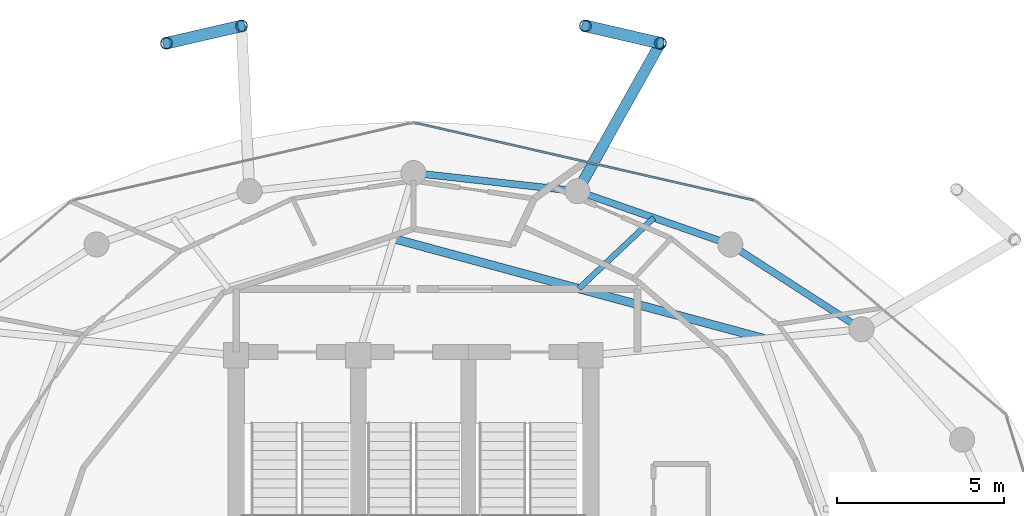
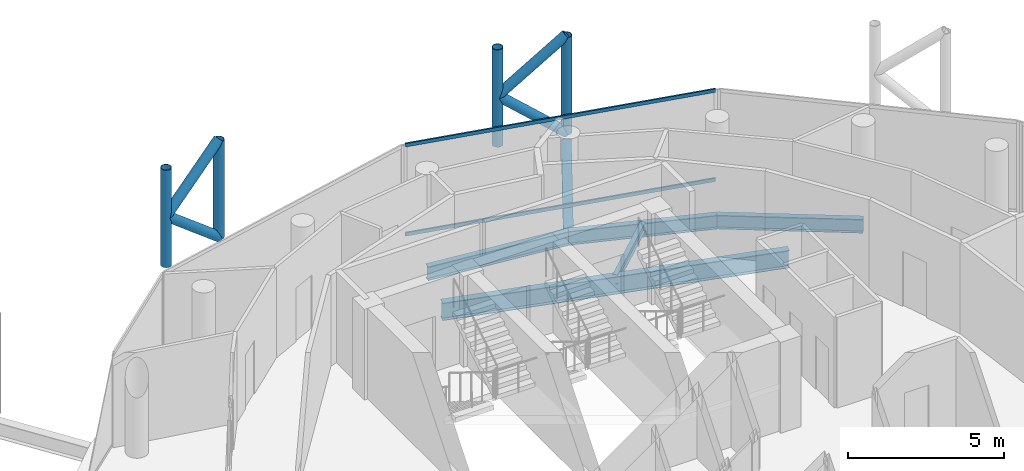
# One storey, part 17 of 24: 10 members, 6 beams, 1 element without a shape of its own.
"""IFC4 building model written with IfcOpenShell, lengths in metres."""

from ifc_helpers import new_model, si_unit, direction, frame, origin, origin_2d, place, context, subcontext, project, spatial, hollow_rectangle, hollow_circle, i_section, extrude, material, layer, layer_set, material_profile, profile_set, type_object, element, aggregate, save


model = new_model("IFC4")

# Units and contexts
model_context = context("Model", 3, precision=1e-05, world=origin(), true_north=direction((0.0, 1.0)))
body_context = subcontext(model_context, "Body", "Model", "MODEL_VIEW")
ifc_project = project(units=[si_unit("LENGTHUNIT", "METRE"), si_unit("AREAUNIT", "SQUARE_METRE"), si_unit("VOLUMEUNIT", "CUBIC_METRE"), si_unit("PLANEANGLEUNIT", "RADIAN"), si_unit("MASSUNIT", "GRAM", prefix="KILO")], contexts=[model_context])

# Site, building, storey
site_placement = place(None, origin())
site = spatial("IfcSite", under=ifc_project, at=site_placement, CompositionType="ELEMENT")
building_placement = place(site_placement, origin())
building = spatial("IfcBuilding", under=site, at=building_placement, Name="Nuhasar Tower", CompositionType="ELEMENT")
storey_placement = place(building_placement, frame((0.0, 0.0, 293.60009765625)))
storey = spatial("IfcBuildingStorey", under=building, at=storey_placement, Name="L73", CompositionType="ELEMENT", Elevation=293.60009765625)

# Beams
ifc_material_1 = material(Name="Steel S355", Category="steel")
ifc_material_profile_1 = material_profile(ifc_material_1, i_section(OverallWidth=0.25390625, OverallDepth=0.68408203125, WebThickness=0.012451171875, FlangeThickness=0.018798828125, at=origin_2d()), Name="W27X94")
ifc_profile_set_1 = profile_set([ifc_material_profile_1], Name="Steel S355")
beam_type_1 = type_object("IfcBeamType", Name="BM-INRING-W27X94", PredefinedType="BEAM", material=ifc_profile_set_1)
beam_1_placement = place(storey_placement, frame((49.48388671875, 37.798095703125, -0.60205078125), z_axis=(-0.965451835482, 0.260581567584, 0.0), x_axis=(-0.260581567584, -0.965451835482, 0.0)))
element("IfcBeam", 1, at=beam_1_placement, inside=storey, type_object=beam_type_1, Name="L73 Inner Header Beam 05", PredefinedType="BEAM", context=body_context, shape_type="SweptSolid", body=[
    extrude(i_section(OverallWidth=0.25390625, OverallDepth=0.68408203125, WebThickness=0.012451171875, FlangeThickness=0.018798828125, at=origin_2d()), origin(), (0.0, 0.0, 1.0), 11.474365234375),
])
ifc_material_profile_2 = material_profile(ifc_material_1, i_section(OverallWidth=0.1708984375, OverallDepth=0.35205078125, WebThickness=0.0068359375, FlangeThickness=0.009765625, at=origin_2d()), Name="W14X30")
ifc_profile_set_2 = profile_set([ifc_material_profile_2], Name="Steel S355")
beam_type_2 = type_object("IfcBeamType", Name="BM-JST-W14X30", PredefinedType="JOIST", material=ifc_profile_set_2)
beam_2_placement = place(storey_placement, frame((43.945068359375, 39.29296875, -0.43603515625), z_axis=(0.727532985224, 0.686072704173, 0.0), x_axis=(-0.686072704173, 0.727532985224, 0.0)))
element("IfcBeam", 2, at=beam_2_placement, inside=storey, type_object=beam_type_2, Name="L73 Secondary Floor Joist 05", PredefinedType="JOIST", context=body_context, shape_type="SweptSolid", body=[
    extrude(i_section(OverallWidth=0.1708984375, OverallDepth=0.35205078125, WebThickness=0.0068359375, FlangeThickness=0.009765625, at=origin_2d()), origin(), (0.0, 0.0, 1.0), 3.085693359375),
])
ifc_material_profile_3 = material_profile(ifc_material_1, i_section(OverallWidth=0.2099609375, OverallDepth=0.537109375, WebThickness=0.010986328125, FlangeThickness=0.017333984375, at=origin_2d()), Name="W21X68")
ifc_profile_set_3 = profile_set([ifc_material_profile_3], Name="Steel S355")
beam_type_3 = type_object("IfcBeamType", Name="BM-RING-W21X68", PredefinedType="SPANDREL", material=ifc_profile_set_3)
beam_3_placement = place(storey_placement, frame((52.39990234375, 38.077880859375, -0.529052734375), z_axis=(-0.840001671147, 0.54258381147, 0.0), x_axis=(-0.54258381147, -0.840001671147, 0.0)))
element("IfcBeam", 3, at=beam_3_placement, inside=storey, type_object=beam_type_3, Name="L73 Perimeter Ring Spandrel 04", PredefinedType="SPANDREL", context=body_context, shape_type="SweptSolid", body=[
    extrude(i_section(OverallWidth=0.2099609375, OverallDepth=0.537109375, WebThickness=0.010986328125, FlangeThickness=0.017333984375, at=origin_2d()), origin(), (0.0, 0.0, 1.0), 4.67236328125),
])
beam_4_placement = place(storey_placement, frame((48.47509765625, 40.613037109375, -0.529052734375), z_axis=(-0.944214043504, 0.329332415729, 0.0), x_axis=(-0.329332415729, -0.944214043504, 0.0)))
element("IfcBeam", 4, at=beam_4_placement, inside=storey, type_object=beam_type_3, Name="L73 Perimeter Ring Spandrel 05", PredefinedType="SPANDREL", context=body_context, shape_type="SweptSolid", body=[
    extrude(i_section(OverallWidth=0.2099609375, OverallDepth=0.537109375, WebThickness=0.010986328125, FlangeThickness=0.017333984375, at=origin_2d()), origin(), (0.0, 0.0, 1.0), 4.840087890625),
])
beam_5_placement = place(storey_placement, frame((43.905029296875, 42.20703125, -0.529052734375), z_axis=(-0.99392889943, 0.110024283128, 0.0), x_axis=(-0.110024283128, -0.99392889943, 0.0)))
element("IfcBeam", 5, at=beam_5_placement, inside=storey, type_object=beam_type_3, Name="L73 Perimeter Ring Spandrel 06", PredefinedType="SPANDREL", context=body_context, shape_type="SweptSolid", body=[
    extrude(i_section(OverallWidth=0.2099609375, OverallDepth=0.537109375, WebThickness=0.010986328125, FlangeThickness=0.017333984375, at=origin_2d()), origin(), (0.0, 0.0, 1.0), 4.93505859375),
])
ifc_material_profile_4 = material_profile(ifc_material_1, i_section(OverallWidth=0.323974609375, OverallDepth=0.611083984375, WebThickness=0.0126953125, FlangeThickness=0.01904296875, at=origin_2d()), Name="W24X104")
ifc_profile_set_4 = profile_set([ifc_material_profile_4], Name="Steel S355")
beam_type_4 = type_object("IfcBeamType", Name="BM-TIE-W24X104", PredefinedType="BEAM", material=ifc_profile_set_4)
beam_6_placement = place(storey_placement, frame((43.905029296875, 42.20703125, -0.566162109375), z_axis=(0.488667847762, 0.872469904675, 0.0), x_axis=(-0.872469904675, 0.488667847762, 0.0)))
element("IfcBeam", 6, at=beam_6_placement, inside=storey, type_object=beam_type_4, Name="L73 Exoskeleton Node Tie Beam 03", PredefinedType="BEAM", context=body_context, shape_type="SweptSolid", body=[
    extrude(i_section(OverallWidth=0.323974609375, OverallDepth=0.611083984375, WebThickness=0.0126953125, FlangeThickness=0.01904296875, at=origin_2d()), origin(), (0.0, 0.0, 1.0), 5.072998046875),
])

# Curtain wall, members
ifc_material_2 = material(Name="Aluminium 6063-T6", Category="aluminium")
ifc_layer = layer(ifc_material_2, 0.18994140625)
ifc_layer_set = layer_set([ifc_layer], Name="Aluminium 6063-T6")
curtain_wall_type = type_object("IfcCurtainWallType", Name="CW-Z4-PEN", PredefinedType="NOTDEFINED", material=ifc_layer_set)
curtain_wall_placement = place(storey_placement, origin())
curtain_wall = element("IfcCurtainWall", 7, at=curtain_wall_placement, inside=storey, type_object=curtain_wall_type, Name="L73 Unitised Curtain Wall 03", PredefinedType="NOTDEFINED")
ifc_material_profile_5 = material_profile(ifc_material_2, hollow_rectangle(XDim=0.06005859375, YDim=0.135009765625, WallThickness=0.00439453125, at=origin_2d()), Name="CWT-5")
ifc_profile_set_5 = profile_set([ifc_material_profile_5], Name="Aluminium 6063-T6")
member_type_1 = type_object("IfcMemberType", Name="CW-TRN-S5", PredefinedType="USERDEFINED", material=ifc_profile_set_5)
member_1_placement = place(storey_placement, frame((49.171630859375, 41.934326171875, 0.02978515625), z_axis=(-0.974843752401, 0.222889341163, 0.0), x_axis=(-0.222889341163, -0.974843752401, 0.0)))
member_1 = element("IfcMember", 8, at=member_1_placement, type_object=member_type_1, Name="CW-Z4 transom 1.1", ObjectType="TRANSOM", PredefinedType="USERDEFINED", context=body_context, shape_type="SweptSolid", body=[
    extrude(hollow_rectangle(XDim=0.06005859375, YDim=0.135009765625, WallThickness=0.00439453125, at=origin_2d()), origin(), (0.0, 0.0, 1.0), 10.3740234375),
])
member_2_placement = place(storey_placement, frame((49.171630859375, 41.934326171875, 3.510009765625), z_axis=(-0.974843752401, 0.222889341163, 0.0), x_axis=(-0.222889341163, -0.974843752401, 0.0)))
member_2 = element("IfcMember", 9, at=member_2_placement, type_object=member_type_1, Name="CW-Z4 transom 1.2", ObjectType="TRANSOM", PredefinedType="USERDEFINED", context=body_context, shape_type="SweptSolid", body=[
    extrude(hollow_rectangle(XDim=0.06005859375, YDim=0.135009765625, WallThickness=0.00439453125, at=origin_2d()), origin(), (0.0, 0.0, 1.0), 10.3740234375),
])
aggregate(curtain_wall, [member_1, member_2])

# Members
ifc_material_3 = material(Name="Steel S460", Category="steel")
ifc_material_profile_6 = material_profile(ifc_material_3, hollow_circle(Radius=0.177734375, WallThickness=0.015869140625, at=origin_2d()), Name="HSS355.6X15.9")
ifc_profile_set_6 = profile_set([ifc_material_profile_6], Name="Steel S460")
member_type_2 = type_object("IfcMemberType", Name="EXO-BRONZE-356", PredefinedType="BRACE", material=ifc_profile_set_6)
for number, where, z_axis, x_axis, name in (
    (10, (46.384033203125, 46.633056640625, 0.0), (0.0, 0.0, 1.0), (1.0, 0.0, 0.0), "L73 Exoskeleton Chord Column EC-03A"),
    (11, (44.14306640625, 47.14892578125, 0.0), (0.0, 0.0, 1.0), (1.0, 0.0, 0.0), "L73 Exoskeleton Chord Column EC-03B"),
    (12, (33.85693359375, 47.14892578125, 0.0), (0.0, 0.0, 1.0), (1.0, 0.0, 0.0), "L73 Exoskeleton Chord Column EC-04A"),
    (13, (31.615966796875, 46.633056640625, 0.0), (0.0, 0.0, 1.0), (1.0, 0.0, 0.0), "L73 Exoskeleton Chord Column EC-04B"),
):
    element("IfcMember", number, at=place(storey_placement, frame(where, z_axis=z_axis, x_axis=x_axis)), inside=storey, type_object=member_type_2, Name=name, PredefinedType="BRACE", context=body_context, shape_type="SweptSolid", body=[
        extrude(hollow_circle(Radius=0.177734375, WallThickness=0.015869140625, at=origin_2d()), origin(), (0.0, 0.0, 1.0), 3.7998046875),
    ])
for number, where, z_axis, x_axis, name in (
    (14, (46.384033203125, 46.633056640625, 0.0), (-0.751271614502, 0.172942250947, 0.636931659663), (-0.224332214284, -0.974512728308, 0.0), "L73 Bronze Diagrid Brace W1-03"),
    (15, (44.14306640625, 47.14892578125, 1.89990234375), (0.751271614502, -0.172942250947, 0.636931659663), (0.224332214284, 0.974512728308, 0.0), "L73 Bronze Diagrid Brace W2-03"),
    (16, (33.85693359375, 47.14892578125, 0.0), (-0.751271614502, -0.172942250947, 0.636931659663), (0.224332214284, -0.974512728308, 0.0), "L73 Bronze Diagrid Brace W1-04"),
    (17, (31.615966796875, 46.633056640625, 1.89990234375), (0.751271614502, 0.172942250947, 0.636931659663), (-0.224332214284, 0.974512728308, 0.0), "L73 Bronze Diagrid Brace W2-04"),
):
    element("IfcMember", number, at=place(storey_placement, frame(where, z_axis=z_axis, x_axis=x_axis)), inside=storey, type_object=member_type_2, Name=name, PredefinedType="BRACE", context=body_context, shape_type="SweptSolid", body=[
        extrude(hollow_circle(Radius=0.177734375, WallThickness=0.015869140625, at=origin_2d()), origin(), (0.0, 0.0, 1.0), 2.98291015625),
    ])

save(model, "model.ifc")
